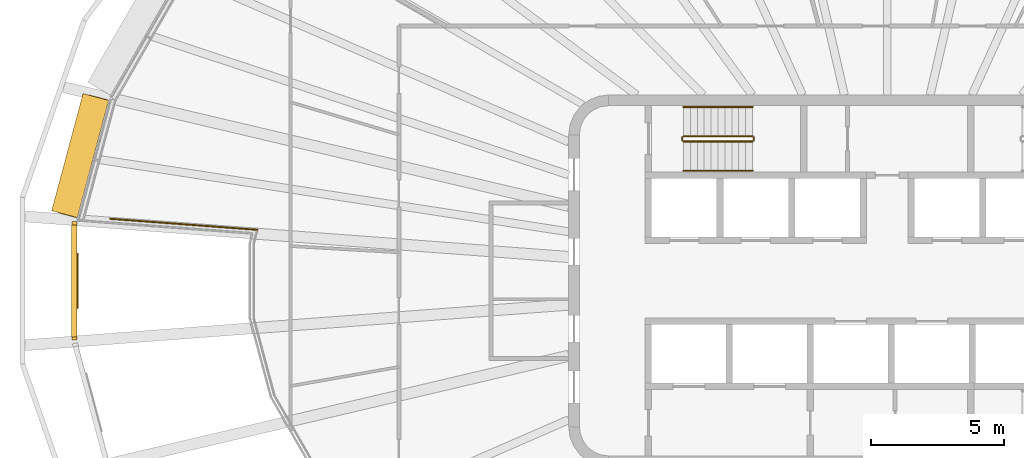
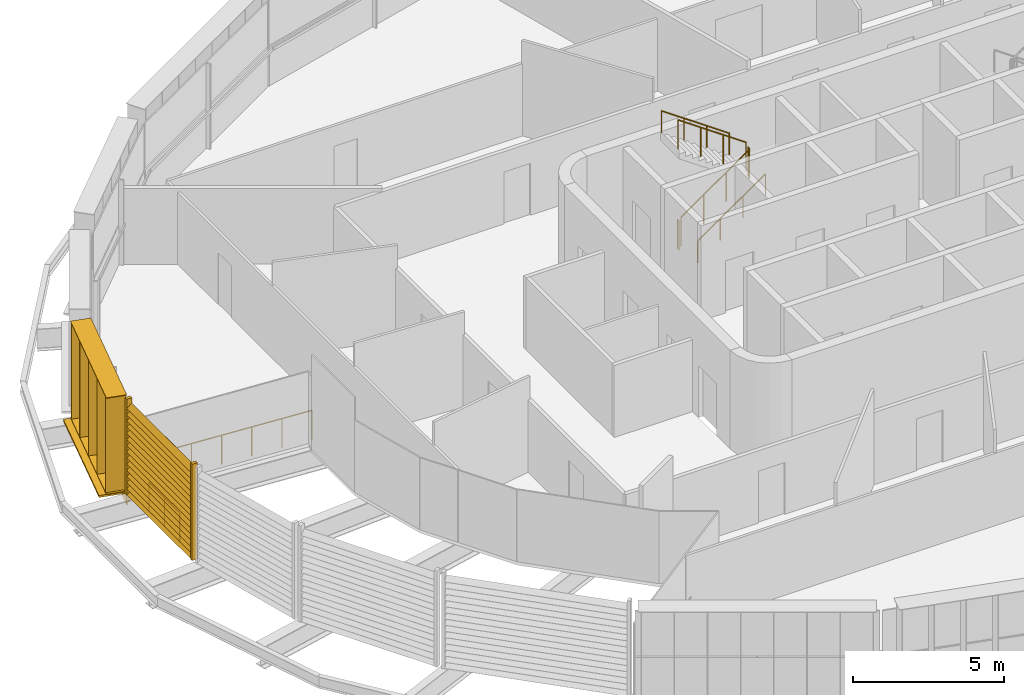
# One storey, part 17 of 20: 8 railings, 3 shading devices.
"""IFC4 building model written with IfcOpenShell, lengths in metres."""

from ifc_helpers import new_model, si_unit, direction, frame, origin, origin_2d, place, context, subcontext, project, spatial, rectangle, circle, extrude, material, type_object, element, save


model = new_model("IFC4")

# Units and contexts
model_context = context("Model", 3, precision=1e-05, world=origin(), true_north=direction((0.0, 1.0)))
body_context = subcontext(model_context, "Body", "Model", "MODEL_VIEW")
ifc_project = project(units=[si_unit("LENGTHUNIT", "METRE"), si_unit("AREAUNIT", "SQUARE_METRE"), si_unit("VOLUMEUNIT", "CUBIC_METRE"), si_unit("PLANEANGLEUNIT", "RADIAN"), si_unit("MASSUNIT", "GRAM", prefix="KILO")], contexts=[model_context])

# Site, building, storey
site_placement = place(None, origin())
site = spatial("IfcSite", under=ifc_project, at=site_placement, CompositionType="ELEMENT")
building_placement = place(site_placement, origin())
building = spatial("IfcBuilding", under=site, at=building_placement, Name="Sahrelin Media Tower", CompositionType="ELEMENT")
storey_placement = place(building_placement, frame((0.0, 0.0, 225.60009765625)))
storey = spatial("IfcBuildingStorey", under=building, at=storey_placement, Name="L48", CompositionType="ELEMENT", Elevation=225.60009765625)

# Shading devices
ifc_material_1 = material(Name="Champagne anodised aluminium 6063-T6", Category="aluminium")
shading_device_type_1 = type_object("IfcShadingDeviceType", Name="Fin cassette", PredefinedType="USERDEFINED", material=ifc_material_1)
placement = place(storey_placement, frame((-29.901611328125, 4.5830078125, 0.0), z_axis=(0.0, 0.0, 1.0), x_axis=(0.258807731996, 0.965928857556, 0.0)))
element("IfcShadingDevice", 1, at=placement, inside=storey, type_object=shading_device_type_1, Name="L48:FIN:L48-11", ObjectType="FIN", PredefinedType="USERDEFINED", context=body_context, shape_type="SweptSolid", body=[
    extrude(rectangle(XDim=4.60009765625, YDim=0.699951171875, at=origin_2d()), frame((0.0, 0.419921875, 0.0)), (0.0, 0.0, 1.0), 0.02001953125),
    extrude(rectangle(XDim=4.60009765625, YDim=0.699951171875, at=origin_2d()), frame((0.0, 0.419921875, 3.89990234375)), (0.0, 0.0, 1.0), 0.02001953125),
    extrude(rectangle(XDim=0.02001953125, YDim=0.699951171875, at=origin_2d()), frame((-2.199951171875, 0.419921875, 0.010009765625), z_axis=(0.0, 0.0, 1.0), x_axis=(1.0, 0.0, 0.0)), (0.0, 0.0, 1.0), 3.89990234375),
    extrude(rectangle(XDim=0.02001953125, YDim=0.699951171875, at=origin_2d()), frame((-1.10009765625, 0.419921875, 0.010009765625), z_axis=(0.0, 0.0, 1.0), x_axis=(1.0, 0.0, 0.0)), (0.0, 0.0, 1.0), 3.89990234375),
    extrude(rectangle(XDim=0.02001953125, YDim=0.699951171875, at=origin_2d()), frame((0.0, 0.419921875, 0.010009765625), z_axis=(0.0, 0.0, 1.0), x_axis=(1.0, 0.0, 0.0)), (0.0, 0.0, 1.0), 3.89990234375),
    extrude(rectangle(XDim=0.02001953125, YDim=0.699951171875, at=origin_2d()), frame((1.10009765625, 0.419921875, 0.010009765625), z_axis=(0.0, 0.0, 1.0), x_axis=(1.0, 0.0, 0.0)), (0.0, 0.0, 1.0), 3.89990234375),
    extrude(rectangle(XDim=0.02001953125, YDim=0.699951171875, at=origin_2d()), frame((2.199951171875, 0.419921875, 0.010009765625), z_axis=(0.0, 0.0, 1.0), x_axis=(1.0, 0.0, 0.0)), (0.0, 0.0, 1.0), 3.89990234375),
])
shading_device_type_2 = type_object("IfcShadingDeviceType", Name="Garden screen", PredefinedType="USERDEFINED", material=ifc_material_1)
shading_device_2_placement = place(storey_placement, frame((-30.5185546875, 0.0, 0.0), z_axis=(0.0, 0.0, 1.0), x_axis=(0.0, 1.0, 0.0)))
element("IfcShadingDevice", 2, at=shading_device_2_placement, inside=storey, type_object=shading_device_type_2, Name="L48:SCREEN:L48-12", ObjectType="SCREEN", PredefinedType="USERDEFINED", context=body_context, shape_type="SweptSolid", body=[
    extrude(rectangle(XDim=0.1201171875, YDim=0.199951171875, at=origin_2d()), frame((2.169921875, 0.10009765625, 0.050048828125), z_axis=(0.0, 0.0, 1.0), x_axis=(1.0, 0.0, 0.0)), (0.0, 0.0, 1.0), 3.89990234375),
    extrude(rectangle(XDim=0.1201171875, YDim=0.199951171875, at=origin_2d()), frame((-2.169921875, 0.10009765625, 0.050048828125), z_axis=(0.0, 0.0, 1.0), x_axis=(1.0, 0.0, 0.0)), (0.0, 0.0, 1.0), 3.89990234375),
    extrude(rectangle(XDim=0.25, YDim=0.02001953125, at=origin_2d()), frame((2.10986328125, 0.10009765625, 0.14990234375), z_axis=(-1.0, 0.0, 0.0), x_axis=(0.0, -0.766044443119, 0.642787609687)), (0.0, 0.0, 1.0), 4.2197265625),
    extrude(rectangle(XDim=0.25, YDim=0.02001953125, at=origin_2d()), frame((2.10986328125, 0.10009765625, 0.39990234375), z_axis=(-1.0, 0.0, 0.0), x_axis=(0.0, -0.766044443119, 0.642787609687)), (0.0, 0.0, 1.0), 4.2197265625),
    extrude(rectangle(XDim=0.25, YDim=0.02001953125, at=origin_2d()), frame((2.10986328125, 0.10009765625, 0.64990234375), z_axis=(-1.0, 0.0, 0.0), x_axis=(0.0, -0.766044443119, 0.642787609687)), (0.0, 0.0, 1.0), 4.2197265625),
    extrude(rectangle(XDim=0.25, YDim=0.02001953125, at=origin_2d()), frame((2.10986328125, 0.10009765625, 0.89990234375), z_axis=(-1.0, 0.0, 0.0), x_axis=(0.0, -0.766044443119, 0.642787609687)), (0.0, 0.0, 1.0), 4.2197265625),
    extrude(rectangle(XDim=0.25, YDim=0.02001953125, at=origin_2d()), frame((2.10986328125, 0.10009765625, 1.14990234375), z_axis=(-1.0, 0.0, 0.0), x_axis=(0.0, -0.766044443119, 0.642787609687)), (0.0, 0.0, 1.0), 4.2197265625),
    extrude(rectangle(XDim=0.25, YDim=0.02001953125, at=origin_2d()), frame((2.10986328125, 0.10009765625, 1.39990234375), z_axis=(-1.0, 0.0, 0.0), x_axis=(0.0, -0.766044443119, 0.642787609687)), (0.0, 0.0, 1.0), 4.2197265625),
    extrude(rectangle(XDim=0.25, YDim=0.02001953125, at=origin_2d()), frame((2.10986328125, 0.10009765625, 1.64990234375), z_axis=(-1.0, 0.0, 0.0), x_axis=(0.0, -0.766044443119, 0.642787609687)), (0.0, 0.0, 1.0), 4.2197265625),
    extrude(rectangle(XDim=0.25, YDim=0.02001953125, at=origin_2d()), frame((2.10986328125, 0.10009765625, 1.89990234375), z_axis=(-1.0, 0.0, 0.0), x_axis=(0.0, -0.766044443119, 0.642787609687)), (0.0, 0.0, 1.0), 4.2197265625),
    extrude(rectangle(XDim=0.25, YDim=0.02001953125, at=origin_2d()), frame((2.10986328125, 0.10009765625, 2.14990234375), z_axis=(-1.0, 0.0, 0.0), x_axis=(0.0, -0.766044443119, 0.642787609687)), (0.0, 0.0, 1.0), 4.2197265625),
    extrude(rectangle(XDim=0.25, YDim=0.02001953125, at=origin_2d()), frame((2.10986328125, 0.10009765625, 2.39990234375), z_axis=(-1.0, 0.0, 0.0), x_axis=(0.0, -0.766044443119, 0.642787609687)), (0.0, 0.0, 1.0), 4.2197265625),
    extrude(rectangle(XDim=0.25, YDim=0.02001953125, at=origin_2d()), frame((2.10986328125, 0.10009765625, 2.64990234375), z_axis=(-1.0, 0.0, 0.0), x_axis=(0.0, -0.766044443119, 0.642787609687)), (0.0, 0.0, 1.0), 4.2197265625),
    extrude(rectangle(XDim=0.25, YDim=0.02001953125, at=origin_2d()), frame((2.10986328125, 0.10009765625, 2.89990234375), z_axis=(-1.0, 0.0, 0.0), x_axis=(0.0, -0.766044443119, 0.642787609687)), (0.0, 0.0, 1.0), 4.2197265625),
    extrude(rectangle(XDim=0.25, YDim=0.02001953125, at=origin_2d()), frame((2.10986328125, 0.10009765625, 3.14990234375), z_axis=(-1.0, 0.0, 0.0), x_axis=(0.0, -0.766044443119, 0.642787609687)), (0.0, 0.0, 1.0), 4.2197265625),
    extrude(rectangle(XDim=0.25, YDim=0.02001953125, at=origin_2d()), frame((2.10986328125, 0.10009765625, 3.39990234375), z_axis=(-1.0, 0.0, 0.0), x_axis=(0.0, -0.766044443119, 0.642787609687)), (0.0, 0.0, 1.0), 4.2197265625),
    extrude(rectangle(XDim=0.25, YDim=0.02001953125, at=origin_2d()), frame((2.10986328125, 0.10009765625, 3.64990234375), z_axis=(-1.0, 0.0, 0.0), x_axis=(0.0, -0.766044443119, 0.642787609687)), (0.0, 0.0, 1.0), 4.2197265625),
])

# Railings
ifc_material_2 = material(Name="Stainless steel 316", Category="steel")
railing_type_1 = type_object("IfcRailingType", Name="Sky garden guard", PredefinedType="GUARDRAIL", material=ifc_material_2)
railing_1_placement = place(storey_placement, frame((-30.49609375, -1.022216796875, 0.0)))
element("IfcRailing", 3, at=railing_1_placement, inside=storey, type_object=railing_type_1, Name="Sky garden void guard G4-5", PredefinedType="GUARDRAIL", context=body_context, shape_type="SweptSolid", body=[
    extrude(circle(Radius=0.02392578125, at=origin_2d()), frame((0.0, 0.0, 1.17578125), z_axis=(0.0, 1.0, 0.0), x_axis=(-1.0, 0.0, 0.0)), (0.0, 0.0, 1.0), 2.04443359375),
    extrude(circle(Radius=0.02099609375, at=origin_2d()), origin(), (0.0, 0.0, 1.0), 1.15185546875),
    extrude(circle(Radius=0.02099609375, at=origin_2d()), frame((0.0, 1.022216796875, 0.0)), (0.0, 0.0, 1.0), 1.15185546875),
    extrude(circle(Radius=0.02099609375, at=origin_2d()), frame((0.0, 2.04443359375, 0.0)), (0.0, 0.0, 1.0), 1.15185546875),
])
railing_2_placement = place(storey_placement, frame((-29.26416015625, 2.336669921875, 0.0)))
element("IfcRailing", 4, at=railing_2_placement, inside=storey, type_object=railing_type_1, Name="Sky garden void guard G4-6", PredefinedType="GUARDRAIL", context=body_context, shape_type="SweptSolid", body=[
    extrude(circle(Radius=0.02392578125, at=origin_2d()), frame((0.0, 0.0, 1.17578125), z_axis=(0.997219532423, -0.074519823897, 0.0), x_axis=(0.074519823897, 0.997219532423, 0.0)), (0.0, 0.0, 1.0), 5.5498046875),
    extrude(circle(Radius=0.02099609375, at=origin_2d()), origin(), (0.0, 0.0, 1.0), 1.15185546875),
    extrude(circle(Radius=0.02099609375, at=origin_2d()), frame((1.10693359375, -0.082763671875, 0.0)), (0.0, 0.0, 1.0), 1.15185546875),
    extrude(circle(Radius=0.02099609375, at=origin_2d()), frame((2.2138671875, -0.16552734375, 0.0)), (0.0, 0.0, 1.0), 1.15185546875),
    extrude(circle(Radius=0.02099609375, at=origin_2d()), frame((3.320556640625, -0.248046875, 0.0)), (0.0, 0.0, 1.0), 1.15185546875),
    extrude(circle(Radius=0.02099609375, at=origin_2d()), frame((4.427490234375, -0.330810546875, 0.0)), (0.0, 0.0, 1.0), 1.15185546875),
    extrude(circle(Radius=0.02099609375, at=origin_2d()), frame((5.534423828125, -0.41357421875, 0.0)), (0.0, 0.0, 1.0), 1.15185546875),
])
ifc_material_3 = material(Name="Steel S355", Category="steel")
railing_type_2 = type_object("IfcRailingType", Name="Stair guard 1200", PredefinedType="GUARDRAIL", material=ifc_material_3)
railing_3_placement = place(storey_placement, frame((-7.675048828125, 5.25, 0.181640625)))
element("IfcRailing", 5, at=railing_3_placement, inside=storey, type_object=railing_type_2, Name="L48 ST1 stair guard 1", PredefinedType="GUARDRAIL", context=body_context, shape_type="SweptSolid", body=[
    extrude(circle(Radius=0.02392578125, at=origin_2d()), frame((0.0, 0.0, 1.17578125), z_axis=(0.819484887739, 0.0, 0.573100792852), x_axis=(0.0, 1.0, 0.0)), (0.0, 0.0, 1.0), 3.1728515625),
    extrude(circle(Radius=0.02099609375, at=origin_2d()), origin(), (0.0, 0.0, 1.0), 1.15185546875),
    extrude(circle(Radius=0.02099609375, at=origin_2d()), frame((0.86669921875, 0.0, 0.606201171875)), (0.0, 0.0, 1.0), 1.15185546875),
    extrude(circle(Radius=0.02099609375, at=origin_2d()), frame((1.7333984375, 0.0, 1.212158203125)), (0.0, 0.0, 1.0), 1.15185546875),
    extrude(circle(Radius=0.02099609375, at=origin_2d()), frame((2.60009765625, 0.0, 1.818359375)), (0.0, 0.0, 1.0), 1.15185546875),
])
railing_4_placement = place(storey_placement, frame((-5.02490234375, 5.300048828125, 2.0)))
element("IfcRailing", 6, at=railing_4_placement, inside=storey, type_object=railing_type_2, Name="L48 ST1 stair guard 2", PredefinedType="GUARDRAIL", context=body_context, shape_type="SweptSolid", body=[
    extrude(circle(Radius=0.02392578125, at=origin_2d()), frame((0.0, 0.0, 1.17578125), z_axis=(0.0, 1.0, 0.0), x_axis=(-1.0, 0.0, 0.0)), (0.0, 0.0, 1.0), 0.099853515625),
    extrude(circle(Radius=0.02099609375, at=origin_2d()), origin(), (0.0, 0.0, 1.0), 1.15185546875),
    extrude(circle(Radius=0.02099609375, at=origin_2d()), frame((0.0, 0.099853515625, 0.0)), (0.0, 0.0, 1.0), 1.15185546875),
])
railing_5_placement = place(storey_placement, frame((-5.074951171875, 5.449951171875, 2.181640625)))
element("IfcRailing", 7, at=railing_5_placement, inside=storey, type_object=railing_type_2, Name="L48 ST1 stair guard 3", PredefinedType="GUARDRAIL", context=body_context, shape_type="SweptSolid", body=[
    extrude(circle(Radius=0.02392578125, at=origin_2d()), frame((0.0, 0.0, 1.17578125), z_axis=(-0.819484887739, 0.0, 0.573100792852), x_axis=(0.0, -1.0, 0.0)), (0.0, 0.0, 1.0), 3.1728515625),
    extrude(circle(Radius=0.02099609375, at=origin_2d()), origin(), (0.0, 0.0, 1.0), 1.15185546875),
    extrude(circle(Radius=0.02099609375, at=origin_2d()), frame((-0.86669921875, 0.0, 0.606201171875)), (0.0, 0.0, 1.0), 1.15185546875),
    extrude(circle(Radius=0.02099609375, at=origin_2d()), frame((-1.7333984375, 0.0, 1.212158203125)), (0.0, 0.0, 1.0), 1.15185546875),
    extrude(circle(Radius=0.02099609375, at=origin_2d()), frame((-2.60009765625, 0.0, 1.818359375)), (0.0, 0.0, 1.0), 1.15185546875),
])
railing_6_placement = place(storey_placement, frame((-7.72509765625, 5.300048828125, 0.0)))
element("IfcRailing", 8, at=railing_6_placement, inside=storey, type_object=railing_type_2, Name="L48 ST1 stair guard 4", PredefinedType="GUARDRAIL", context=body_context, shape_type="SweptSolid", body=[
    extrude(circle(Radius=0.02392578125, at=origin_2d()), frame((0.0, 0.0, 1.17578125), z_axis=(0.0, 1.0, 0.0), x_axis=(-1.0, 0.0, 0.0)), (0.0, 0.0, 1.0), 0.099853515625),
    extrude(circle(Radius=0.02099609375, at=origin_2d()), origin(), (0.0, 0.0, 1.0), 1.15185546875),
    extrude(circle(Radius=0.02099609375, at=origin_2d()), frame((0.0, 0.099853515625, 0.0)), (0.0, 0.0, 1.0), 1.15185546875),
])
railing_type_3 = type_object("IfcRailingType", Name="Stair handrail 900", PredefinedType="HANDRAIL", material=ifc_material_3)
railing_7_placement = place(storey_placement, frame((-7.675048828125, 4.14990234375, 0.181640625)))
element("IfcRailing", 9, at=railing_7_placement, inside=storey, type_object=railing_type_3, Name="L48 ST1 stair handrail 1", PredefinedType="HANDRAIL", context=body_context, shape_type="SweptSolid", body=[
    extrude(circle(Radius=0.02392578125, at=origin_2d()), frame((0.0, 0.0, 0.8759765625), z_axis=(0.819484887739, 0.0, 0.573100792852), x_axis=(0.0, 1.0, 0.0)), (0.0, 0.0, 1.0), 3.1728515625),
    extrude(circle(Radius=0.02099609375, at=origin_2d()), origin(), (0.0, 0.0, 1.0), 0.851806640625),
    extrude(circle(Radius=0.02099609375, at=origin_2d()), frame((0.86669921875, 0.0, 0.606201171875)), (0.0, 0.0, 1.0), 0.851806640625),
    extrude(circle(Radius=0.02099609375, at=origin_2d()), frame((1.7333984375, 0.0, 1.212158203125)), (0.0, 0.0, 1.0), 0.851806640625),
    extrude(circle(Radius=0.02099609375, at=origin_2d()), frame((2.60009765625, 0.0, 1.818359375)), (0.0, 0.0, 1.0), 0.851806640625),
])
railing_8_placement = place(storey_placement, frame((-5.074951171875, 6.550048828125, 2.181640625)))
element("IfcRailing", 10, at=railing_8_placement, inside=storey, type_object=railing_type_3, Name="L48 ST1 stair handrail 2", PredefinedType="HANDRAIL", context=body_context, shape_type="SweptSolid", body=[
    extrude(circle(Radius=0.02392578125, at=origin_2d()), frame((0.0, 0.0, 0.8759765625), z_axis=(-0.819484887739, 0.0, 0.573100792852), x_axis=(0.0, -1.0, 0.0)), (0.0, 0.0, 1.0), 3.1728515625),
    extrude(circle(Radius=0.02099609375, at=origin_2d()), origin(), (0.0, 0.0, 1.0), 0.851806640625),
    extrude(circle(Radius=0.02099609375, at=origin_2d()), frame((-0.86669921875, 0.0, 0.606201171875)), (0.0, 0.0, 1.0), 0.851806640625),
    extrude(circle(Radius=0.02099609375, at=origin_2d()), frame((-1.7333984375, 0.0, 1.212158203125)), (0.0, 0.0, 1.0), 0.851806640625),
    extrude(circle(Radius=0.02099609375, at=origin_2d()), frame((-2.60009765625, 0.0, 1.818359375)), (0.0, 0.0, 1.0), 0.851806640625),
])

# Shading device
shading_device_type_3 = type_object("IfcShadingDeviceType", Name="Sunshade band", PredefinedType="USERDEFINED", material=ifc_material_1)
element("IfcShadingDevice", 11, at=placement, inside=storey, type_object=shading_device_type_3, Name="L48:SUN:L48-11", ObjectType="SUNSHADE", PredefinedType="USERDEFINED", context=body_context, shape_type="SweptSolid", body=[
    extrude(rectangle(XDim=4.568603515625, YDim=0.050048828125, at=origin_2d()), frame((0.0, 0.044921875, -0.55126953125)), (0.0, 0.0, 1.0), 0.471435546875),
    extrude(rectangle(XDim=4.568603515625, YDim=1.0, at=origin_2d()), frame((0.0, 0.52001953125, -0.080078125)), (0.0, 0.0, 1.0), 0.080078125),
    extrude(rectangle(XDim=0.10009765625, YDim=0.074951171875, at=origin_2d()), frame((-2.184326171875, -0.017578125, -0.47021484375)), (0.0, 0.0, 1.0), 0.300048828125),
    extrude(rectangle(XDim=0.10009765625, YDim=0.074951171875, at=origin_2d()), frame((-0.72802734375, -0.017578125, -0.47021484375)), (0.0, 0.0, 1.0), 0.300048828125),
    extrude(rectangle(XDim=0.10009765625, YDim=0.074951171875, at=origin_2d()), frame((0.72802734375, -0.017578125, -0.47021484375)), (0.0, 0.0, 1.0), 0.300048828125),
    extrude(rectangle(XDim=0.10009765625, YDim=0.074951171875, at=origin_2d()), frame((2.184326171875, -0.017578125, -0.47021484375)), (0.0, 0.0, 1.0), 0.300048828125),
])

save(model, "model.ifc")
